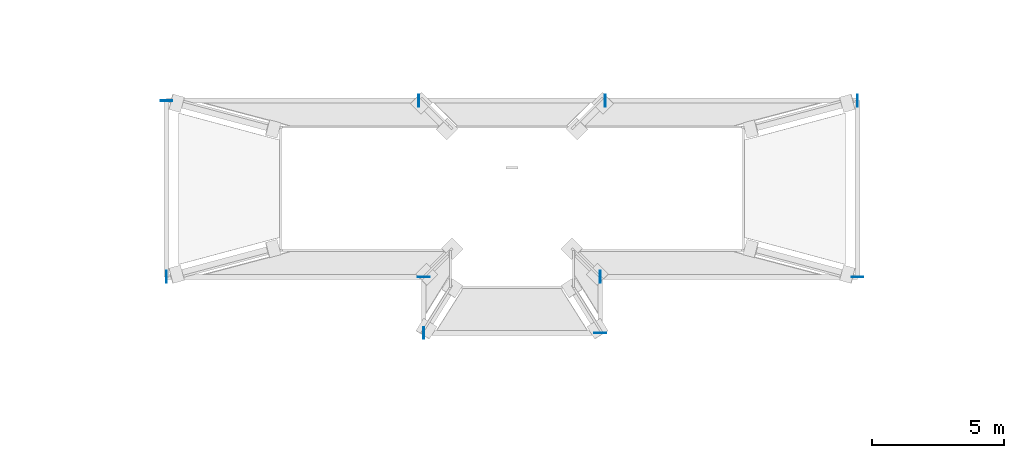
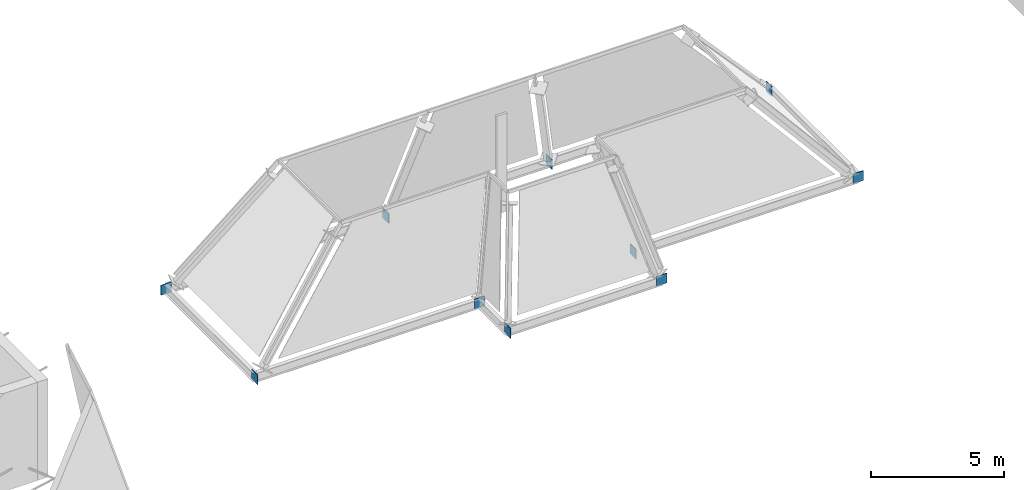
# One storey, part 3 of 4: 10 discrete accessories.
"""IFC4 building model written with IfcOpenShell, lengths in metres."""

from ifc_helpers import new_model, si_unit, direction, frame, origin, origin_2d, place, context, subcontext, project, spatial, rectangle, extrude, material, material_profile, profile_set, type_object, element, save


model = new_model("IFC4")

# Units and contexts
model_context = context("Model", 3, precision=1e-05, world=origin(), true_north=direction((0.0, 1.0)))
body_context = subcontext(model_context, "Body", "Model", "MODEL_VIEW")
ifc_project = project(units=[si_unit("LENGTHUNIT", "METRE"), si_unit("AREAUNIT", "SQUARE_METRE"), si_unit("VOLUMEUNIT", "CUBIC_METRE"), si_unit("PLANEANGLEUNIT", "RADIAN"), si_unit("MASSUNIT", "GRAM", prefix="KILO")], contexts=[model_context])

# Site, building, storey
site_placement = place(None, origin())
site = spatial("IfcSite", under=ifc_project, at=site_placement, CompositionType="ELEMENT")
building_placement = place(site_placement, origin())
building = spatial("IfcBuilding", under=site, at=building_placement, Name="Perihelion Cross Residences", CompositionType="ELEMENT")
storey_placement = place(building_placement, frame((0.0, 0.0, 312.300048828125)))
storey = spatial("IfcBuildingStorey", under=building, at=storey_placement, Name="L79", CompositionType="ELEMENT", Elevation=312.300048828125)

# Discrete accessories
ifc_material = material(Name="Structural steel S355 plate", Category="steel")
ifc_material_profile = material_profile(ifc_material, rectangle(XDim=0.449951171875, YDim=0.449951171875, at=origin_2d()), Name="Crown end plate")
ifc_profile_set = profile_set([ifc_material_profile], Name="Structural steel S355 plate")
discrete_accessory_type = type_object("IfcDiscreteAccessoryType", Name="Crown end plate", PredefinedType="BRACKET", material=ifc_profile_set)
for number, where, z_axis, x_axis, name in (
    (1, (13.069091796875, -3.349609375, -0.45849609375), (0.0, 1.0, 0.0), (-1.0, 0.0, 0.0), "Crown end plate"),
    (2, (13.083984375, 3.33447265625, -0.45849609375), (-1.0, 0.0, 0.0), (0.0, -1.0, 0.0), "Crown end plate"),
):
    element("IfcDiscreteAccessory", number, at=place(storey_placement, frame(where, z_axis=z_axis, x_axis=x_axis)), inside=storey, type_object=discrete_accessory_type, Name=name, PredefinedType="BRACKET", context=body_context, shape_type="SweptSolid", body=[
        extrude(rectangle(XDim=0.449951171875, YDim=0.449951171875, at=origin_2d()), origin(), (0.0, 0.0, 1.0), 0.030029296875),
    ])
for number, where, z_axis, x_axis, name in (
    (3, (3.547607421875, 3.33447265625, -0.45849609375), (-1.0, 0.0, 0.0), (0.0, -1.0, 0.0), "Crown end plate"),
    (4, (-3.517822265625, 3.33447265625, -0.45849609375), (-1.0, 0.0, 0.0), (0.0, -1.0, 0.0), "Crown end plate"),
):
    element("IfcDiscreteAccessory", number, at=place(storey_placement, frame(where, z_axis=z_axis, x_axis=x_axis)), inside=storey, type_object=discrete_accessory_type, Name=name, PredefinedType="BRACKET", context=body_context, shape_type="SweptSolid", body=[
        extrude(rectangle(XDim=0.449951171875, YDim=0.449951171875, at=origin_2d()), origin(), (0.0, 0.0, 1.0), 0.02978515625),
    ])
for number, where, z_axis, x_axis, name in (
    (5, (-13.069091796875, 3.349609375, -0.45849609375), (0.0, -1.0, 0.0), (1.0, 0.0, 0.0), "Crown end plate"),
    (6, (-13.083984375, -3.33447265625, -0.45849609375), (1.0, 0.0, 0.0), (0.0, 1.0, 0.0), "Crown end plate"),
    (7, (-3.33447265625, -3.319580078125, -0.45849609375), (0.0, -1.0, 0.0), (1.0, 0.0, 0.0), "Crown end plate"),
    (8, (-3.349609375, -5.4541015625, -0.45849609375), (1.0, 0.0, 0.0), (0.0, 1.0, 0.0), "Crown end plate"),
    (9, (3.33447265625, -5.46923828125, -0.45849609375), (0.0, 1.0, 0.0), (-1.0, 0.0, 0.0), "Crown end plate"),
    (10, (3.319580078125, -3.33447265625, -0.45849609375), (1.0, 0.0, 0.0), (0.0, 1.0, 0.0), "Crown end plate"),
):
    element("IfcDiscreteAccessory", number, at=place(storey_placement, frame(where, z_axis=z_axis, x_axis=x_axis)), inside=storey, type_object=discrete_accessory_type, Name=name, PredefinedType="BRACKET", context=body_context, shape_type="SweptSolid", body=[
        extrude(rectangle(XDim=0.449951171875, YDim=0.449951171875, at=origin_2d()), origin(), (0.0, 0.0, 1.0), 0.030029296875),
    ])

save(model, "model.ifc")
